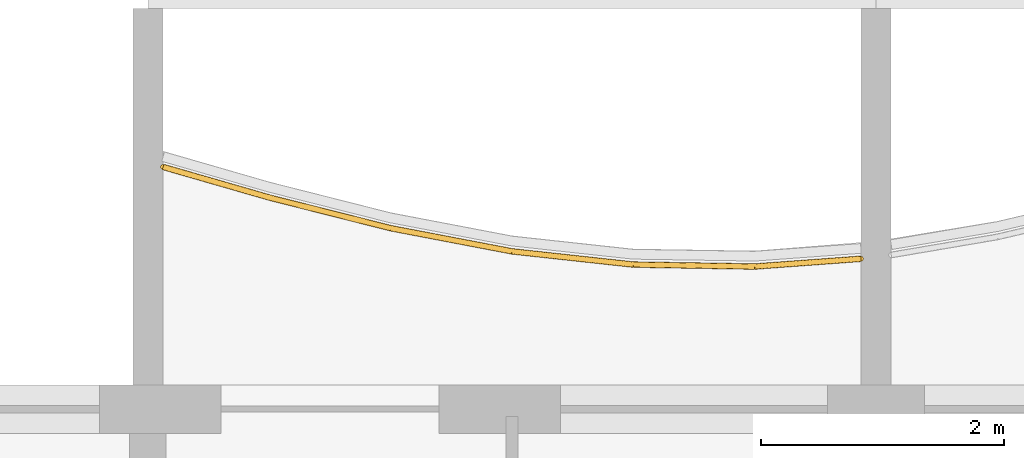
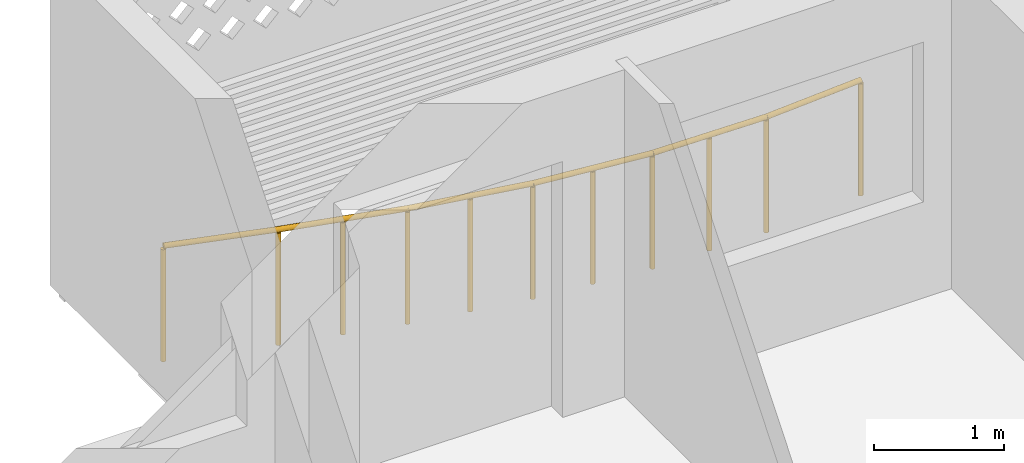
# One storey, part 20 of 33: 1 railing.
"""IFC4 building model written with IfcOpenShell, lengths in metres."""

from ifc_helpers import new_model, si_unit, direction, frame, origin, origin_2d, place, context, subcontext, project, spatial, circle, extrude, material, type_object, element, save


model = new_model("IFC4")

# Units and contexts
model_context = context("Model", 3, precision=1e-05, world=origin(), true_north=direction((0.0, 1.0)))
body_context = subcontext(model_context, "Body", "Model", "MODEL_VIEW")
ifc_project = project(units=[si_unit("LENGTHUNIT", "METRE"), si_unit("AREAUNIT", "SQUARE_METRE"), si_unit("VOLUMEUNIT", "CUBIC_METRE"), si_unit("PLANEANGLEUNIT", "RADIAN"), si_unit("MASSUNIT", "GRAM", prefix="KILO")], contexts=[model_context])

# Site, building, storey
site_placement = place(None, origin())
site = spatial("IfcSite", under=ifc_project, at=site_placement, CompositionType="ELEMENT")
building_placement = place(site_placement, origin())
building = spatial("IfcBuilding", under=site, at=building_placement, Name="Poui Terraces", CompositionType="ELEMENT")
storey_placement = place(building_placement, frame((0.0, 0.0, 138.89990234375)))
storey = spatial("IfcBuildingStorey", under=building, at=storey_placement, Name="L38", CompositionType="ELEMENT", Elevation=138.89990234375)

# Railing
ifc_material = material(Name="Painted steel fretwork", Category="steel")
railing_type = type_object("IfcRailingType", Name="BALCONY GUARD 1100", PredefinedType="GUARDRAIL", material=ifc_material)
railing_placement = place(storey_placement, frame((30.125, 44.395751953125, 0.0)))
element("IfcRailing", 1, at=railing_placement, inside=storey, type_object=railing_type, Name="BALCONY GUARD", PredefinedType="GUARDRAIL", context=body_context, shape_type="SweptSolid", body=[
    extrude(circle(Radius=0.02392578125, at=origin_2d()), frame((0.0, 0.0, 1.076171875), z_axis=(0.960955301601, -0.276703647113, 0.0), x_axis=(0.276703647113, 0.960955301601, 0.0)), (0.0, 0.0, 1.0), 0.91064453125),
    extrude(circle(Radius=0.02392578125, at=origin_2d()), frame((0.875, -0.251953125, 1.076171875), z_axis=(0.969526767585, -0.244985401477, 0.0), x_axis=(0.244985401477, 0.969526767585, 0.0)), (0.0, 0.0, 1.0), 1.031494140625),
    extrude(circle(Radius=0.02392578125, at=origin_2d()), frame((1.875, -0.504638671875, 1.076171875), z_axis=(0.982258715668, -0.187530838782, 0.0), x_axis=(0.187530838782, 0.982258715668, 0.0)), (0.0, 0.0, 1.0), 1.01806640625),
    extrude(circle(Radius=0.02392578125, at=origin_2d()), frame((2.875, -0.695556640625, 1.076171875), z_axis=(0.994124040351, -0.108246904784, 0.0), x_axis=(0.108246904784, 0.994124040351, 0.0)), (0.0, 0.0, 1.0), 1.005859375),
    extrude(circle(Radius=0.02392578125, at=origin_2d()), frame((3.875, -0.804443359375, 1.076171875), z_axis=(0.999870206358, -0.016111189849, 0.0), x_axis=(0.016111189849, 0.999870206358, 0.0)), (0.0, 0.0, 1.0), 1.000244140625),
    extrude(circle(Radius=0.02392578125, at=origin_2d()), frame((4.875, -0.820556640625, 1.076171875), z_axis=(0.997338661105, 0.07290812757, 0.0), x_axis=(-0.07290812757, 0.997338661105, 0.0)), (0.0, 0.0, 1.0), 0.87744140625),
    extrude(circle(Radius=0.02099609375, at=origin_2d()), origin(), (0.0, 0.0, 1.0), 1.052001953125),
    extrude(circle(Radius=0.02099609375, at=origin_2d()), frame((0.875, -0.251953125, 0.0)), (0.0, 0.0, 1.0), 1.052001953125),
    extrude(circle(Radius=0.02099609375, at=origin_2d()), frame((1.375, -0.37841796875, 0.0)), (0.0, 0.0, 1.0), 1.052001953125),
    extrude(circle(Radius=0.02099609375, at=origin_2d()), frame((1.875, -0.504638671875, 0.0)), (0.0, 0.0, 1.0), 1.052001953125),
    extrude(circle(Radius=0.02099609375, at=origin_2d()), frame((2.375, -0.60009765625, 0.0)), (0.0, 0.0, 1.0), 1.052001953125),
    extrude(circle(Radius=0.02099609375, at=origin_2d()), frame((2.875, -0.695556640625, 0.0)), (0.0, 0.0, 1.0), 1.052001953125),
    extrude(circle(Radius=0.02099609375, at=origin_2d()), frame((3.375, -0.75, 0.0)), (0.0, 0.0, 1.0), 1.052001953125),
    extrude(circle(Radius=0.02099609375, at=origin_2d()), frame((3.875, -0.804443359375, 0.0)), (0.0, 0.0, 1.0), 1.052001953125),
    extrude(circle(Radius=0.02099609375, at=origin_2d()), frame((4.375, -0.8125, 0.0)), (0.0, 0.0, 1.0), 1.052001953125),
    extrude(circle(Radius=0.02099609375, at=origin_2d()), frame((4.875, -0.820556640625, 0.0)), (0.0, 0.0, 1.0), 1.052001953125),
    extrude(circle(Radius=0.02099609375, at=origin_2d()), frame((5.75, -0.756591796875, 0.0)), (0.0, 0.0, 1.0), 1.052001953125),
])

save(model, "model.ifc")
